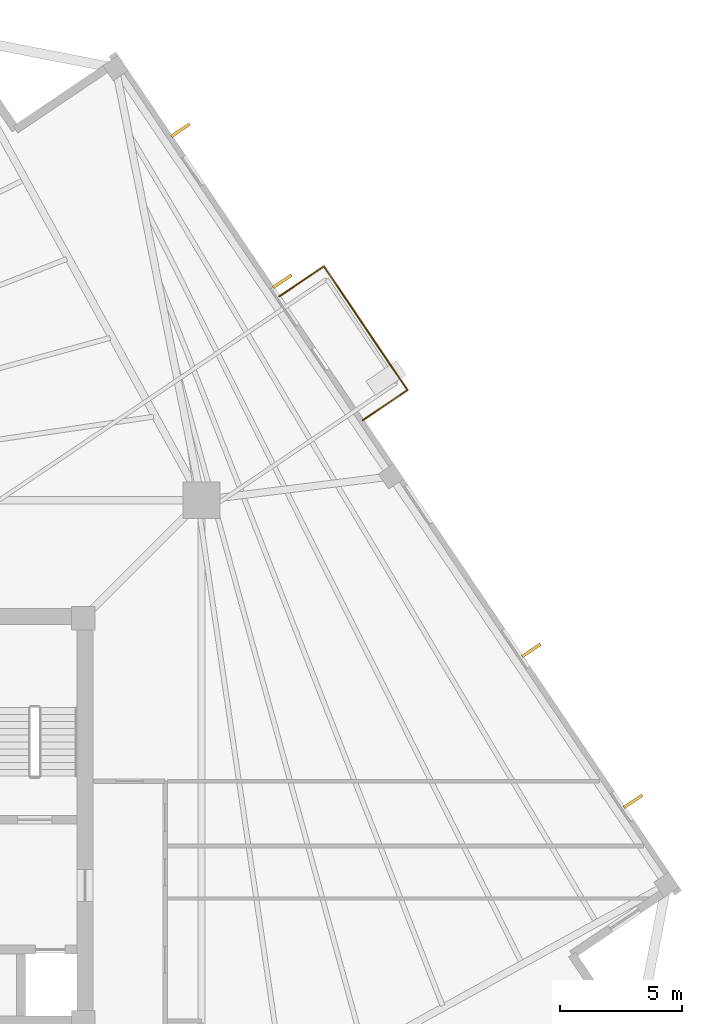
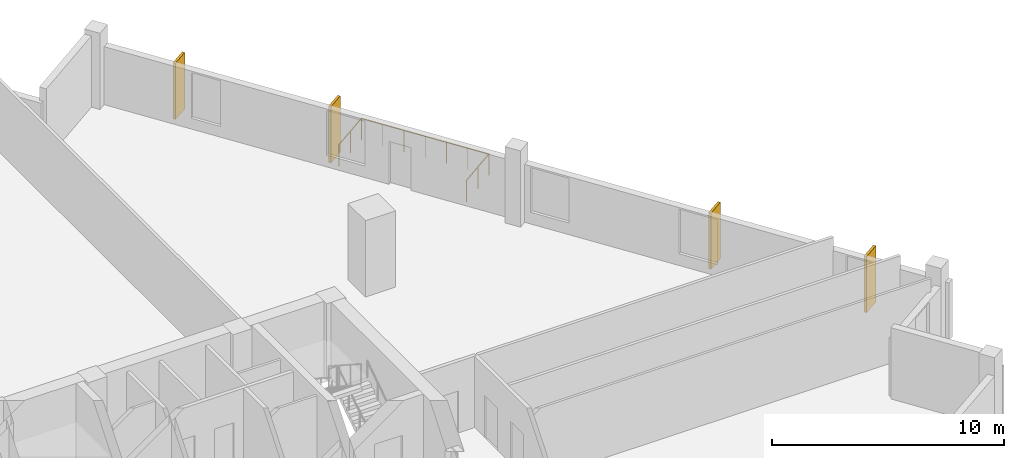
# One storey, part 9 of 9: 4 coverings, 3 railings.
"""IFC4 building model written with IfcOpenShell, lengths in metres."""

from ifc_helpers import new_model, si_unit, direction, frame, origin, origin_2d, place, context, subcontext, project, spatial, rectangle, circle, extrude, source, transform, mapped, material, layer, layer_set, type_object, element, save


model = new_model("IFC4")

# Units and contexts
model_context = context("Model", 3, precision=1e-05, world=origin(), true_north=direction((0.0, 1.0)))
body_context = subcontext(model_context, "Body", "Model", "MODEL_VIEW")
ifc_project = project(units=[si_unit("LENGTHUNIT", "METRE"), si_unit("AREAUNIT", "SQUARE_METRE"), si_unit("VOLUMEUNIT", "CUBIC_METRE"), si_unit("PLANEANGLEUNIT", "RADIAN"), si_unit("MASSUNIT", "GRAM", prefix="KILO"), si_unit("THERMODYNAMICTEMPERATUREUNIT", "KELVIN")], contexts=[model_context])

# Site, building, storey
site_placement = place(None, origin())
site = spatial("IfcSite", under=ifc_project, at=site_placement, CompositionType="ELEMENT")
building_placement = place(site_placement, origin())
building = spatial("IfcBuilding", under=site, at=building_placement, Name="Kosmvard Interchange Tower", CompositionType="ELEMENT")
storey_placement = place(building_placement, frame((0.0, 0.0, 168.39990234375)))
storey = spatial("IfcBuildingStorey", under=building, at=storey_placement, Name="L40", CompositionType="ELEMENT", Elevation=168.39990234375)

# Coverings
ifc_material_1 = material(Name="Architectural anodised aluminium", Category="aluminium")
ifc_layer = layer(ifc_material_1, 0.1201171875, Name="Architectural anodised aluminium")
ifc_layer_set = layer_set([ifc_layer], Name="Architectural anodised aluminium")
covering_type = type_object("IfcCoveringType", Name="Rotating Vertical Sun-Breaker Fin 900x120 Aluminium", PredefinedType="CLADDING", material=ifc_layer_set)
shared_shape_1 = source(origin(), body_context, "Body", "SweptSolid", [
    extrude(rectangle(XDim=0.89990234375, YDim=0.1201171875, at=origin_2d()), origin(), (0.0, 0.0, 1.0), 2.9599609375),
])
for number, where, z_axis, x_axis, name in (
    (1, (30.718994140625, 0.774169921875, 0.0400390625), (0.0, 0.0, 1.0), (0.831275631055, 0.555860436814, 0.0), "L40 Rotating Vertical Sun-Breaker Fin 05"),
    (2, (26.557861328125, 6.943115234375, 0.0400390625), (0.0, 0.0, 1.0), (0.831275631055, 0.555860436814, 0.0), "L40 Rotating Vertical Sun-Breaker Fin 06"),
    (3, (16.38623046875, 22.02294921875, 0.0400390625), (0.0, 0.0, 1.0), (0.831275631055, 0.555860436814, 0.0), "L40 Rotating Vertical Sun-Breaker Fin 07"),
    (4, (12.225341796875, 28.192138671875, 0.0400390625), (0.0, 0.0, 1.0), (0.831275631055, 0.555860436814, 0.0), "L40 Rotating Vertical Sun-Breaker Fin 08"),
):
    element("IfcCovering", number, at=place(storey_placement, frame(where, z_axis=z_axis, x_axis=x_axis)), inside=storey, type_object=covering_type, Name=name, PredefinedType="CLADDING", context=body_context, shape_type="MappedRepresentation", body=[
        mapped(shared_shape_1, transform((0.0, 0.0, 0.0), scale=1.0)),
    ])

# Railings
ifc_material_2 = material(Name="Steel S355", Category="steel")
railing_type = type_object("IfcRailingType", Name="Observation & Balcony Glass-Infill Balustrade 1150", PredefinedType="BALUSTRADE", material=ifc_material_2)
shared_shape_2 = source(origin(), body_context, "Body", "SweptSolid", [
    extrude(circle(Radius=0.02392578125, at=origin_2d()), frame((0.0, 0.0, 1.1259765625), z_axis=(0.829050594418, 0.559173597279, 0.0), x_axis=(-0.559173597279, 0.829050594418, 0.0)), (0.0, 0.0, 1.0), 2.2001953125),
    extrude(circle(Radius=0.02099609375, at=origin_2d()), origin(), (0.0, 0.0, 1.0), 1.101806640625),
    extrude(circle(Radius=0.02099609375, at=origin_2d()), frame((0.912109375, 0.615234375, 0.0)), (0.0, 0.0, 1.0), 1.101806640625),
    extrude(circle(Radius=0.02099609375, at=origin_2d()), frame((1.823974609375, 1.230224609375, 0.0)), (0.0, 0.0, 1.0), 1.101806640625),
])
railing_1_placement = place(storey_placement, frame((19.673095703125, 16.345458984375, 0.0)))
element("IfcRailing", 5, at=railing_1_placement, inside=storey, type_object=railing_type, Name="L40 Outdoor Terrace Guard BAL-L40-E-A", PredefinedType="BALUSTRADE", context=body_context, shape_type="MappedRepresentation", body=[
    mapped(shared_shape_2, transform((0.0, 0.0, 0.0), scale=1.0)),
])
shared_shape_3 = source(origin(), body_context, "Body", "SweptSolid", [
    extrude(circle(Radius=0.02392578125, at=origin_2d()), frame((0.0, 0.0, 1.1259765625), z_axis=(-0.55919924627, 0.829033294248, 0.0), x_axis=(-0.829033294248, -0.55919924627, 0.0)), (0.0, 0.0, 1.0), 6.10009765625),
    extrude(circle(Radius=0.02099609375, at=origin_2d()), origin(), (0.0, 0.0, 1.0), 1.101806640625),
    extrude(circle(Radius=0.02099609375, at=origin_2d()), frame((-0.568603515625, 0.8427734375, 0.0)), (0.0, 0.0, 1.0), 1.101806640625),
    extrude(circle(Radius=0.02099609375, at=origin_2d()), frame((-1.136962890625, 1.685791015625, 0.0)), (0.0, 0.0, 1.0), 1.101806640625),
    extrude(circle(Radius=0.02099609375, at=origin_2d()), frame((-1.70556640625, 2.528564453125, 0.0)), (0.0, 0.0, 1.0), 1.101806640625),
    extrude(circle(Radius=0.02099609375, at=origin_2d()), frame((-2.274169921875, 3.371337890625, 0.0)), (0.0, 0.0, 1.0), 1.101806640625),
    extrude(circle(Radius=0.02099609375, at=origin_2d()), frame((-2.842529296875, 4.21435546875, 0.0)), (0.0, 0.0, 1.0), 1.101806640625),
    extrude(circle(Radius=0.02099609375, at=origin_2d()), frame((-3.4111328125, 5.05712890625, 0.0)), (0.0, 0.0, 1.0), 1.101806640625),
])
railing_2_placement = place(storey_placement, frame((21.4970703125, 17.57568359375, 0.0)))
element("IfcRailing", 6, at=railing_2_placement, inside=storey, type_object=railing_type, Name="L40 Outdoor Terrace Guard BAL-L40-E-B", PredefinedType="BALUSTRADE", context=body_context, shape_type="MappedRepresentation", body=[
    mapped(shared_shape_3, transform((0.0, 0.0, 0.0), scale=1.0)),
])
shared_shape_4 = source(origin(), body_context, "Body", "SweptSolid", [
    extrude(circle(Radius=0.02392578125, at=origin_2d()), frame((0.0, 0.0, 1.1259765625), z_axis=(-0.829050594418, -0.559173597279, 0.0), x_axis=(0.559173597279, -0.829050594418, 0.0)), (0.0, 0.0, 1.0), 2.2001953125),
    extrude(circle(Radius=0.02099609375, at=origin_2d()), origin(), (0.0, 0.0, 1.0), 1.101806640625),
    extrude(circle(Radius=0.02099609375, at=origin_2d()), frame((-0.912109375, -0.615234375, 0.0)), (0.0, 0.0, 1.0), 1.101806640625),
    extrude(circle(Radius=0.02099609375, at=origin_2d()), frame((-1.823974609375, -1.230224609375, 0.0)), (0.0, 0.0, 1.0), 1.101806640625),
])
railing_3_placement = place(storey_placement, frame((18.0859375, 22.6328125, 0.0)))
element("IfcRailing", 7, at=railing_3_placement, inside=storey, type_object=railing_type, Name="L40 Outdoor Terrace Guard BAL-L40-E-C", PredefinedType="BALUSTRADE", context=body_context, shape_type="MappedRepresentation", body=[
    mapped(shared_shape_4, transform((0.0, 0.0, 0.0), scale=1.0)),
])

save(model, "model.ifc")
